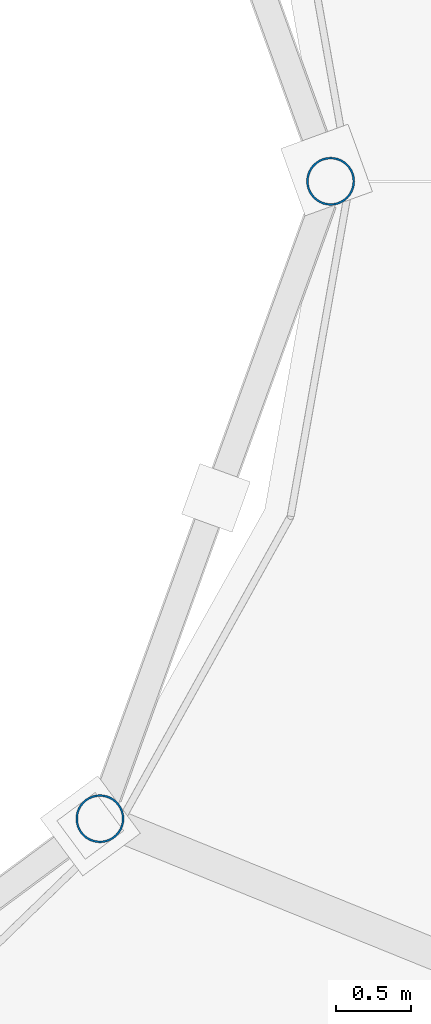
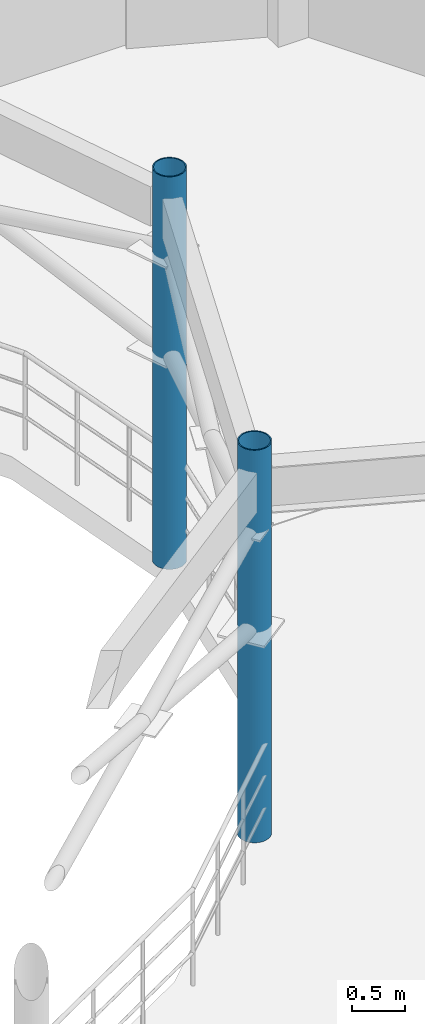
# One storey, part 5 of 60: 2 columns.
"""IFC4 building model written with IfcOpenShell, lengths in metres."""

from ifc_helpers import new_model, si_unit, direction, frame, origin, origin_2d, place, context, subcontext, project, spatial, hollow_circle, extrude, material, material_profile, profile_set, type_object, element, save


model = new_model("IFC4")

# Units and contexts
model_context = context("Model", 3, precision=1e-05, world=origin(), true_north=direction((0.0, 1.0)))
body_context = subcontext(model_context, "Body", "Model", "MODEL_VIEW")
ifc_project = project(units=[si_unit("LENGTHUNIT", "METRE"), si_unit("AREAUNIT", "SQUARE_METRE"), si_unit("VOLUMEUNIT", "CUBIC_METRE"), si_unit("PLANEANGLEUNIT", "RADIAN"), si_unit("MASSUNIT", "GRAM", prefix="KILO")], contexts=[model_context])

# Site, building, storey
site_placement = place(None, origin())
site = spatial("IfcSite", under=ifc_project, at=site_placement, CompositionType="ELEMENT")
building_placement = place(site_placement, origin())
building = spatial("IfcBuilding", under=site, at=building_placement, Name="Cinderbank Siding Concert Hall", CompositionType="ELEMENT")
storey_placement = place(building_placement, frame((0.0, 0.0, 14.699951171875)))
storey = spatial("IfcBuildingStorey", under=building, at=storey_placement, Name="L04", CompositionType="ELEMENT", Elevation=14.699951171875)

# Columns
ifc_material = material(Name="Structural steel hollow section AS/NZS 1163 Grade C350L0 (350 MPa)", Category="steel")
ifc_material_profile = material_profile(ifc_material, hollow_circle(Radius=0.161865234375, WallThickness=0.0126953125, at=origin_2d()), Name="323.9x12.7CHS", Category="LoadBearing")
ifc_profile_set = profile_set([ifc_material_profile], Name="Structural steel hollow section AS/NZS 1163 Grade C350L0 (350 MPa)")
column_type = type_object("IfcColumnType", Name="C-CHS323 323.9x12.7CHS", PredefinedType="COLUMN", material=ifc_profile_set)
for number, where, z_axis, x_axis, name in (
    (1, (133.550048828125, 44.0, 0.0), (0.0, 0.0, 1.0), (1.0, 0.0, 0.0), "L04 Column COL-E0-01"),
    (2, (132.0029296875, 39.72509765625, 0.0), (0.0, 0.0, 1.0), (1.0, 0.0, 0.0), "L04 Column COL-E0-23"),
):
    element("IfcColumn", number, at=place(storey_placement, frame(where, z_axis=z_axis, x_axis=x_axis)), inside=storey, type_object=column_type, Name=name, PredefinedType="COLUMN", context=body_context, shape_type="SweptSolid", body=[
        extrude(hollow_circle(Radius=0.161865234375, WallThickness=0.0126953125, at=origin_2d()), origin(), (0.0, 0.0, 1.0), 4.5),
    ])

save(model, "model.ifc")
